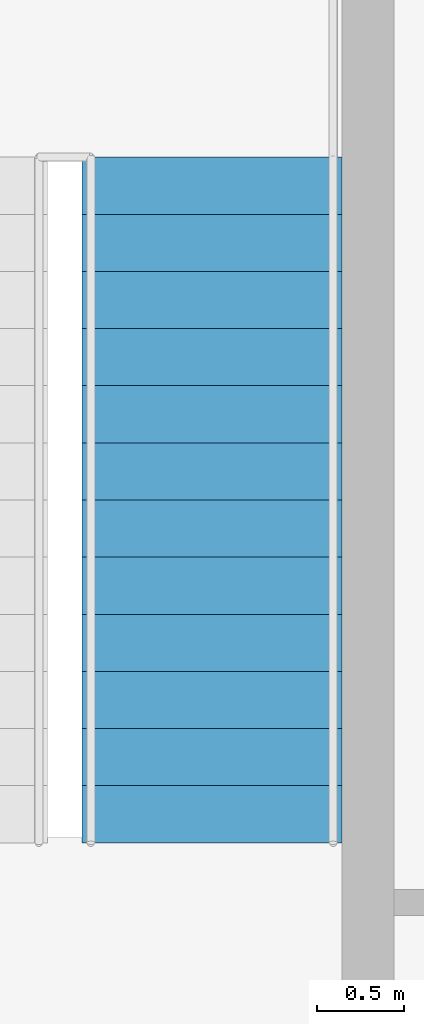
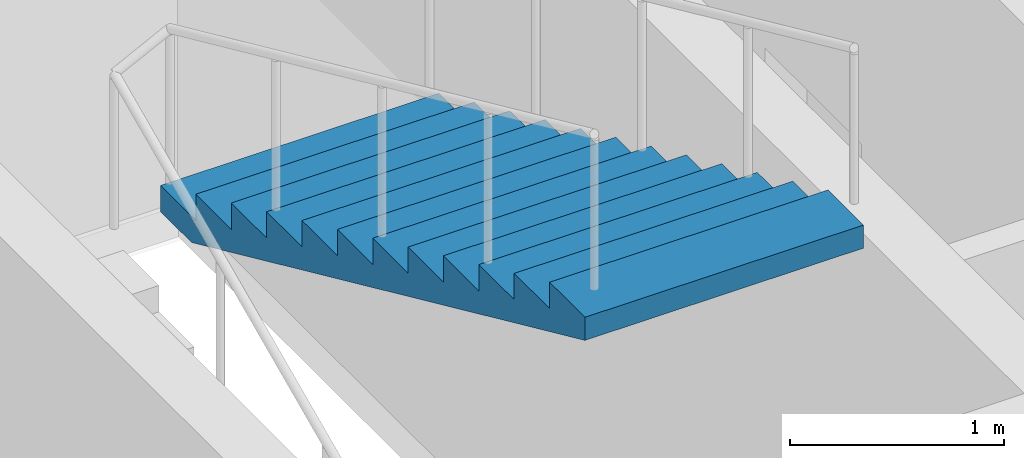
# One storey, part 10 of 11: 1 stair flight, 1 element without a shape of its own.
"""IFC4 building model written with IfcOpenShell, lengths in metres."""

from ifc_helpers import new_model, si_unit, direction, frame, origin, place, context, subcontext, project, spatial, polygons, material, type_object, element, aggregate, save


model = new_model("IFC4")

# Units and contexts
model_context = context("Model", 3, precision=1e-05, world=origin(), true_north=direction((0.0, 1.0)))
body_context = subcontext(model_context, "Body", "Model", "MODEL_VIEW")
ifc_project = project(units=[si_unit("LENGTHUNIT", "METRE"), si_unit("AREAUNIT", "SQUARE_METRE"), si_unit("VOLUMEUNIT", "CUBIC_METRE"), si_unit("PLANEANGLEUNIT", "RADIAN"), si_unit("MASSUNIT", "GRAM", prefix="KILO")], contexts=[model_context])

# Site, building, storey
site_placement = place(None, origin())
site = spatial("IfcSite", under=ifc_project, at=site_placement, CompositionType="ELEMENT")
building_placement = place(site_placement, origin())
building = spatial("IfcBuilding", under=site, at=building_placement, Name="Njiva Tower", CompositionType="ELEMENT")
storey_placement = place(building_placement, frame((0.0, 0.0, 151.5)))
storey = spatial("IfcBuildingStorey", under=building, at=storey_placement, Name="L32", CompositionType="ELEMENT", Elevation=151.5)

# Stair, stair flight
ifc_material = material(Name="Concrete C40/50", Category="concrete")
stair_type = type_object("IfcStairType", Name="ST4 Exit stair 1500", PredefinedType="HALF_TURN_STAIR", material=ifc_material)
stair_placement = place(storey_placement, origin())
stair = element("IfcStair", 1, at=stair_placement, inside=storey, type_object=stair_type, Name="Stair B", PredefinedType="HALF_TURN_STAIR")
stair_flight_type = type_object("IfcStairFlightType", Name="FL4 Stair flight 1500", PredefinedType="STRAIGHT", material=ifc_material)
stair_flight_placement = place(storey_placement, frame((13.45, 15.06, 1.95), z_axis=(0.0, 0.0, 1.0), x_axis=(0.0, -1.0, 0.0)))
stair_flight = element("IfcStairFlight", 2, at=stair_flight_placement, type_object=stair_flight_type, Name="ST-B flight 2", NumberOfRisers=13, NumberOfTreads=12, PredefinedType="STRAIGHT", RiserHeight=0.15, TreadLength=0.33, context=body_context, shape_type="Tessellation", body=[
    polygons([(0.0, 0.75, 0.0), (0.0, 0.375, 0.0), (0.0, 0.0, 0.0), (0.0, -0.375, 0.0), (0.0, -0.75, 0.0), (0.0, 0.75, 0.15), (0.0, 0.375, 0.15), (0.0, 0.0, 0.15), (0.0, -0.375, 0.15), (0.0, -0.75, 0.15), (0.33, 0.75, 0.15), (0.33, 0.375, 0.15), (0.33, 0.0, 0.15), (0.33, -0.375, 0.15), (0.33, -0.75, 0.15), (0.33, 0.75, 0.3), (0.33, 0.375, 0.3), (0.33, 0.0, 0.3), (0.33, -0.375, 0.3), (0.33, -0.75, 0.3), (0.66, 0.75, 0.3), (0.66, 0.375, 0.3), (0.66, 0.0, 0.3), (0.66, -0.375, 0.3), (0.66, -0.75, 0.3), (0.66, 0.75, 0.45), (0.66, 0.375, 0.45), (0.66, 0.0, 0.45), (0.66, -0.375, 0.45), (0.66, -0.75, 0.45), (0.99, 0.75, 0.45), (0.99, 0.375, 0.45), (0.99, 0.0, 0.45), (0.99, -0.375, 0.45), (0.99, -0.75, 0.45), (0.99, 0.75, 0.6), (0.99, 0.375, 0.6), (0.99, 0.0, 0.6), (0.99, -0.375, 0.6), (0.99, -0.75, 0.6), (1.32, 0.75, 0.6), (1.32, 0.375, 0.6), (1.32, 0.0, 0.6), (1.32, -0.375, 0.6), (1.32, -0.75, 0.6), (1.32, 0.75, 0.75), (1.32, 0.375, 0.75), (1.32, 0.0, 0.75), (1.32, -0.375, 0.75), (1.32, -0.75, 0.75), (1.65, 0.75, 0.75), (1.65, 0.375, 0.75), (1.65, 0.0, 0.75), (1.65, -0.375, 0.75), (1.65, -0.75, 0.75), (1.65, 0.75, 0.9), (1.65, 0.375, 0.9), (1.65, 0.0, 0.9), (1.65, -0.375, 0.9), (1.65, -0.75, 0.9), (1.98, 0.75, 0.9), (1.98, 0.375, 0.9), (1.98, 0.0, 0.9), (1.98, -0.375, 0.9), (1.98, -0.75, 0.9), (1.98, 0.75, 1.05), (1.98, 0.375, 1.05), (1.98, 0.0, 1.05), (1.98, -0.375, 1.05), (1.98, -0.75, 1.05), (2.31, 0.75, 1.05), (2.31, 0.375, 1.05), (2.31, 0.0, 1.05), (2.31, -0.375, 1.05), (2.31, -0.75, 1.05), (2.31, 0.75, 1.2), (2.31, 0.375, 1.2), (2.31, 0.0, 1.2), (2.31, -0.375, 1.2), (2.31, -0.75, 1.2), (2.64, 0.75, 1.2), (2.64, 0.375, 1.2), (2.64, 0.0, 1.2), (2.64, -0.375, 1.2), (2.64, -0.75, 1.2), (2.64, 0.75, 1.35), (2.64, 0.375, 1.35), (2.64, 0.0, 1.35), (2.64, -0.375, 1.35), (2.64, -0.75, 1.35), (2.97, 0.75, 1.35), (2.97, 0.375, 1.35), (2.97, 0.0, 1.35), (2.97, -0.375, 1.35), (2.97, -0.75, 1.35), (2.97, 0.75, 1.5), (2.97, 0.375, 1.5), (2.97, 0.0, 1.5), (2.97, -0.375, 1.5), (2.97, -0.75, 1.5), (3.3, 0.75, 1.5), (3.3, 0.375, 1.5), (3.3, 0.0, 1.5), (3.3, -0.375, 1.5), (3.3, -0.75, 1.5), (3.3, 0.75, 1.65), (3.3, 0.375, 1.65), (3.3, 0.0, 1.65), (3.3, -0.375, 1.65), (3.3, -0.75, 1.65), (3.63, 0.75, 1.65), (3.63, 0.375, 1.65), (3.63, 0.0, 1.65), (3.63, -0.375, 1.65), (3.63, -0.75, 1.65), (3.63, 0.75, 1.8), (3.63, 0.375, 1.8), (3.63, 0.0, 1.8), (3.63, -0.375, 1.8), (3.63, -0.75, 1.8), (3.96, 0.75, 1.8), (3.96, 0.375, 1.8), (3.96, 0.0, 1.8), (3.96, -0.375, 1.8), (3.96, -0.75, 1.8), (3.96, 0.75, 1.6682), (3.96, 0.375, 1.6682), (3.96, 0.0, 1.6682), (3.96, -0.375, 1.6682), (3.96, -0.75, 1.6682), (0.29, 0.75, 0.0), (0.29, 0.375, 0.0), (0.29, 0.0, 0.0), (0.29, -0.375, 0.0), (0.29, -0.75, 0.0)], [[[1, 6, 11, 16, 21, 26, 31, 36, 41, 46, 51, 56, 61, 66, 71, 76, 81, 86, 91, 96, 101, 106, 111, 116, 121, 126, 131]], [[135, 130, 125, 120, 115, 110, 105, 100, 95, 90, 85, 80, 75, 70, 65, 60, 55, 50, 45, 40, 35, 30, 25, 20, 15, 10, 5]], [[6, 1, 2, 7]], [[7, 2, 3, 8]], [[8, 3, 4, 9]], [[9, 4, 5, 10]], [[11, 6, 7, 12]], [[12, 7, 8, 13]], [[13, 8, 9, 14]], [[14, 9, 10, 15]], [[16, 11, 12, 17]], [[17, 12, 13, 18]], [[18, 13, 14, 19]], [[19, 14, 15, 20]], [[21, 16, 17, 22]], [[22, 17, 18, 23]], [[23, 18, 19, 24]], [[24, 19, 20, 25]], [[26, 21, 22, 27]], [[27, 22, 23, 28]], [[28, 23, 24, 29]], [[29, 24, 25, 30]], [[31, 26, 27, 32]], [[32, 27, 28, 33]], [[33, 28, 29, 34]], [[34, 29, 30, 35]], [[36, 31, 32, 37]], [[37, 32, 33, 38]], [[38, 33, 34, 39]], [[39, 34, 35, 40]], [[41, 36, 37, 42]], [[42, 37, 38, 43]], [[43, 38, 39, 44]], [[44, 39, 40, 45]], [[46, 41, 42, 47]], [[47, 42, 43, 48]], [[48, 43, 44, 49]], [[49, 44, 45, 50]], [[51, 46, 47, 52]], [[52, 47, 48, 53]], [[53, 48, 49, 54]], [[54, 49, 50, 55]], [[56, 51, 52, 57]], [[57, 52, 53, 58]], [[58, 53, 54, 59]], [[59, 54, 55, 60]], [[61, 56, 57, 62]], [[62, 57, 58, 63]], [[63, 58, 59, 64]], [[64, 59, 60, 65]], [[66, 61, 62, 67]], [[67, 62, 63, 68]], [[68, 63, 64, 69]], [[69, 64, 65, 70]], [[71, 66, 67, 72]], [[72, 67, 68, 73]], [[73, 68, 69, 74]], [[74, 69, 70, 75]], [[76, 71, 72, 77]], [[77, 72, 73, 78]], [[78, 73, 74, 79]], [[79, 74, 75, 80]], [[81, 76, 77, 82]], [[82, 77, 78, 83]], [[83, 78, 79, 84]], [[84, 79, 80, 85]], [[86, 81, 82, 87]], [[87, 82, 83, 88]], [[88, 83, 84, 89]], [[89, 84, 85, 90]], [[91, 86, 87, 92]], [[92, 87, 88, 93]], [[93, 88, 89, 94]], [[94, 89, 90, 95]], [[96, 91, 92, 97]], [[97, 92, 93, 98]], [[98, 93, 94, 99]], [[99, 94, 95, 100]], [[101, 96, 97, 102]], [[102, 97, 98, 103]], [[103, 98, 99, 104]], [[104, 99, 100, 105]], [[106, 101, 102, 107]], [[107, 102, 103, 108]], [[108, 103, 104, 109]], [[109, 104, 105, 110]], [[111, 106, 107, 112]], [[112, 107, 108, 113]], [[113, 108, 109, 114]], [[114, 109, 110, 115]], [[116, 111, 112, 117]], [[117, 112, 113, 118]], [[118, 113, 114, 119]], [[119, 114, 115, 120]], [[121, 116, 117, 122]], [[122, 117, 118, 123]], [[123, 118, 119, 124]], [[124, 119, 120, 125]], [[126, 121, 122, 127]], [[127, 122, 123, 128]], [[128, 123, 124, 129]], [[129, 124, 125, 130]], [[131, 126, 127, 132]], [[132, 127, 128, 133]], [[133, 128, 129, 134]], [[134, 129, 130, 135]], [[1, 131, 132, 2]], [[2, 132, 133, 3]], [[3, 133, 134, 4]], [[4, 134, 135, 5]]], closed=True),
])
aggregate(stair, [stair_flight])

save(model, "model.ifc")
